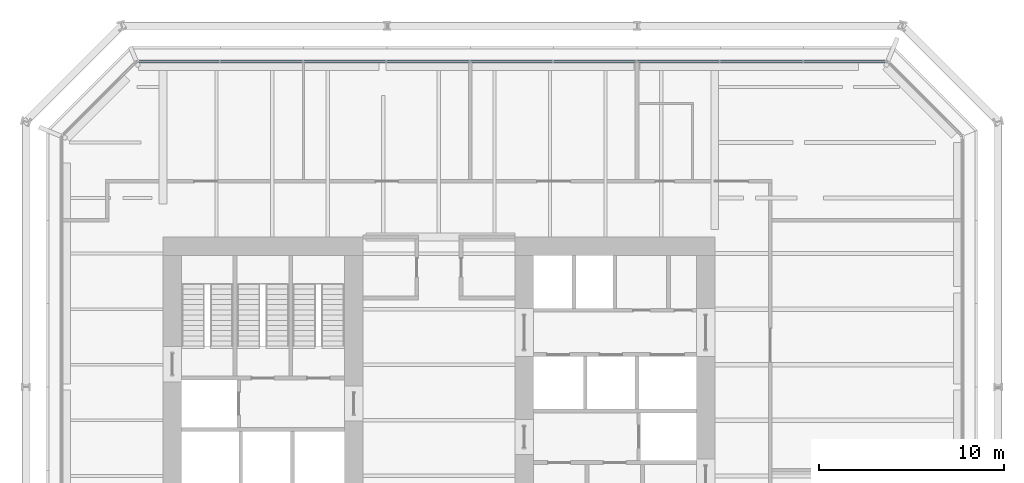
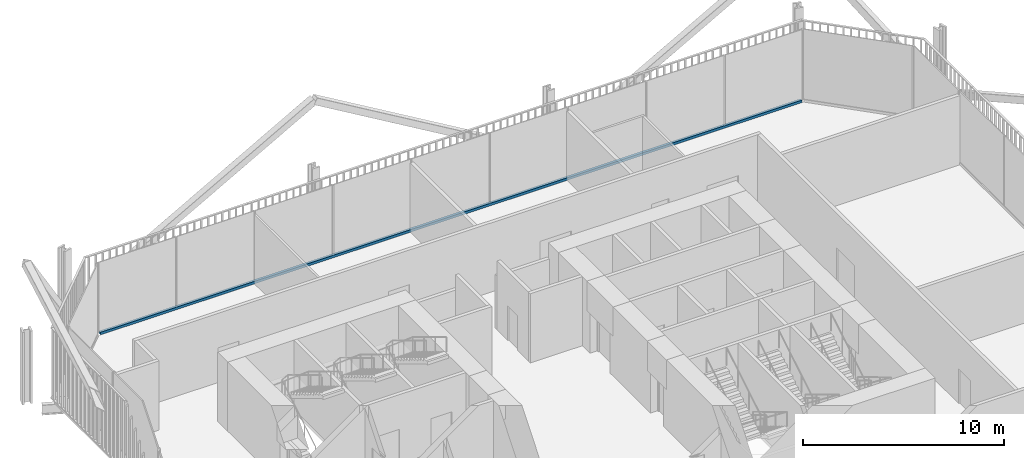
# One storey, part 13 of 21: 1 member, 1 element without a shape of its own.
"""IFC4 building model written with IfcOpenShell, lengths in metres."""

from ifc_helpers import new_model, si_unit, direction, frame, origin, origin_2d, place, context, subcontext, project, spatial, rectangle, extrude, material, layer, layer_set, material_profile, profile_set, type_object, element, aggregate, save


model = new_model("IFC4")

# Units and contexts
model_context = context("Model", 3, precision=1e-05, world=origin(), true_north=direction((0.0, 1.0)))
body_context = subcontext(model_context, "Body", "Model", "MODEL_VIEW")
ifc_project = project(units=[si_unit("LENGTHUNIT", "METRE"), si_unit("AREAUNIT", "SQUARE_METRE"), si_unit("VOLUMEUNIT", "CUBIC_METRE"), si_unit("PLANEANGLEUNIT", "RADIAN"), si_unit("MASSUNIT", "GRAM", prefix="KILO")], contexts=[model_context])

# Site, building, storey
site_placement = place(None, origin())
site = spatial("IfcSite", under=ifc_project, at=site_placement, CompositionType="ELEMENT")
building_placement = place(site_placement, origin())
building = spatial("IfcBuilding", under=site, at=building_placement, Name="Millrace Tower", CompositionType="ELEMENT")
storey_placement = place(building_placement, frame((0.0, 0.0, 73.199951171875)))
storey = spatial("IfcBuildingStorey", under=building, at=storey_placement, Name="L16", CompositionType="ELEMENT", Elevation=73.199951171875)

# Curtain wall, member
ifc_material_1 = material(Name="Aluminium and glass", Category="aluminium")
ifc_layer = layer(ifc_material_1, 0.14990234375)
ifc_layer_set = layer_set([ifc_layer], Name="Aluminium and glass")
curtain_wall_type = type_object("IfcCurtainWallType", Name="CW-3 telecom floor curtain wall", PredefinedType="NOTDEFINED", material=ifc_layer_set)
curtain_wall_placement = place(storey_placement, origin())
curtain_wall = element("IfcCurtainWall", 1, at=curtain_wall_placement, inside=storey, type_object=curtain_wall_type, Name="Curtain wall B-F06 L16", PredefinedType="NOTDEFINED")
ifc_material_2 = material(Name="Aluminium", Category="aluminium")
ifc_material_profile = material_profile(ifc_material_2, rectangle(XDim=0.14990234375, YDim=0.14990234375, at=origin_2d()))
ifc_profile_set = profile_set([ifc_material_profile], Name="Aluminium")
member_type = type_object("IfcMemberType", Name="CW-3 telecom floor curtain wall transom", PredefinedType="USERDEFINED", material=ifc_profile_set)
member_placement = place(storey_placement, frame((24.10009765625, 19.375, 0.074951171875), z_axis=(-1.0, 0.0, 0.0), x_axis=(0.0, -1.0, 0.0)))
member = element("IfcMember", 2, at=member_placement, type_object=member_type, Name="CW3 transom B-F06.1", ObjectType="TRANSOM", PredefinedType="USERDEFINED", context=body_context, shape_type="SweptSolid", body=[
    extrude(rectangle(XDim=0.14990234375, YDim=0.14990234375, at=origin_2d()), origin(), (0.0, 0.0, 1.0), 40.300048828125),
])
aggregate(curtain_wall, [member])

save(model, "model.ifc")
